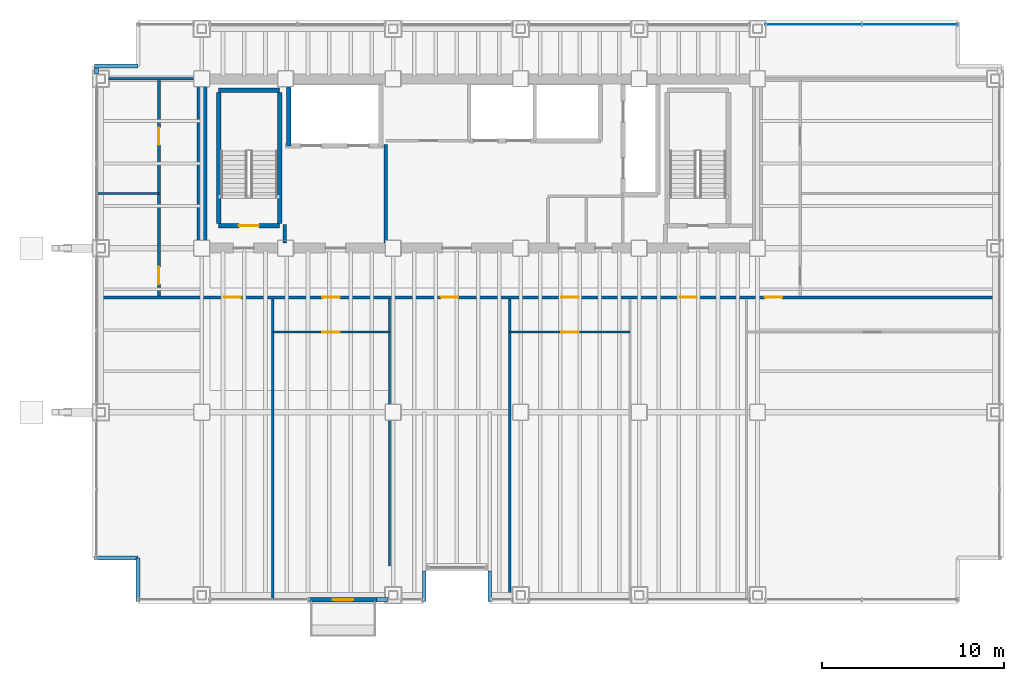
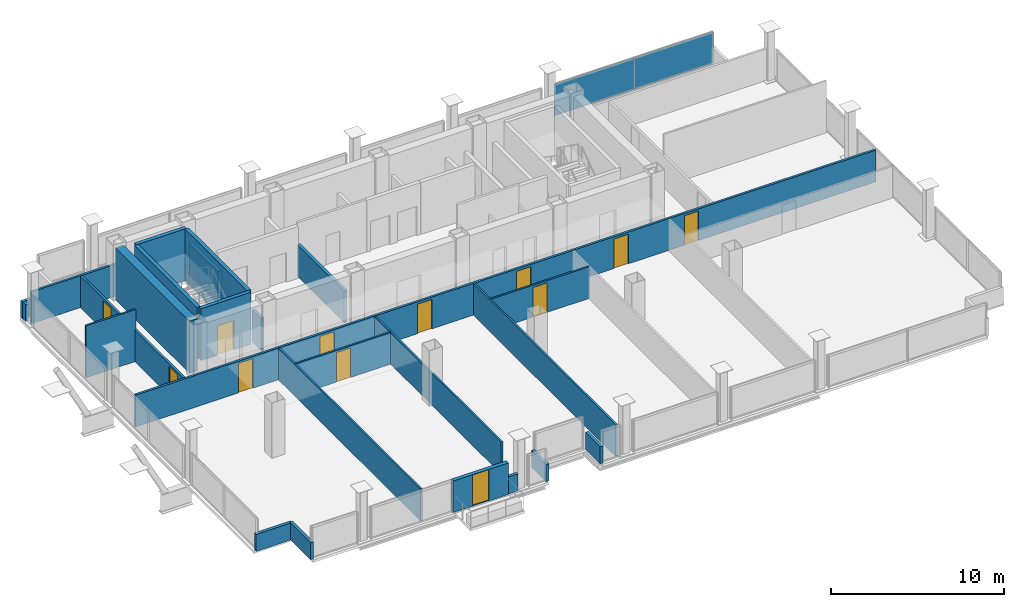
# One storey, part 18 of 21: 25 walls, 12 doors, 2 plates, 12 openings, 1 element without a shape of its own.
"""IFC4 building model written with IfcOpenShell, lengths in metres."""

from ifc_helpers import new_model, si_unit, direction, frame, frame_2d, origin, origin_2d, place, context, subcontext, project, spatial, rectangle, extrude, material, layer, layer_set, type_object, element, fill, aggregate, save


model = new_model("IFC4")

# Units and contexts
model_context = context("Model", 3, precision=1e-05, world=origin(), true_north=direction((0.0, 1.0)))
body_context = subcontext(model_context, "Body", "Model", "MODEL_VIEW")
ifc_project = project(units=[si_unit("LENGTHUNIT", "METRE"), si_unit("AREAUNIT", "SQUARE_METRE"), si_unit("VOLUMEUNIT", "CUBIC_METRE"), si_unit("PLANEANGLEUNIT", "RADIAN"), si_unit("MASSUNIT", "GRAM", prefix="KILO")], contexts=[model_context])

# Site, building, storey
site_placement = place(None, origin())
site = spatial("IfcSite", under=ifc_project, at=site_placement, CompositionType="ELEMENT")
building_placement = place(site_placement, origin())
building = spatial("IfcBuilding", under=site, at=building_placement, Name="Noeulbin Bourse Tower", CompositionType="ELEMENT")
storey_placement = place(building_placement, frame((0.0, 0.0, 111.0)))
storey = spatial("IfcBuildingStorey", under=building, at=storey_placement, Name="L27", CompositionType="ELEMENT", Elevation=111.0)

# Curtain wall, plates
ifc_material_1 = material(Name="Dark Tinted Triple Glazing", Category="glass")
curtain_wall_type = type_object("IfcCurtainWallType", Name="CW-SYS-3", PredefinedType="NOTDEFINED", material=ifc_material_1)
curtain_wall_placement = place(storey_placement, origin())
curtain_wall = element("IfcCurtainWall", 1, at=curtain_wall_placement, inside=storey, type_object=curtain_wall_type, Name="Unitised Curtain Wall CW-L27-N-S6", PredefinedType="NOTDEFINED")
ifc_layer_1 = layer(ifc_material_1, 0.035888671875)
ifc_layer_set_1 = layer_set([ifc_layer_1], Name="Dark Tinted Triple Glazing")
plate_type = type_object("IfcPlateType", Name="CW-SYS-3-PNL", PredefinedType="CURTAIN_PANEL", material=ifc_layer_set_1)
plate_1_placement = place(storey_placement, frame((47.0625, 41.280029296875, 0.0), z_axis=(0.0, 0.0, 1.0), x_axis=(1.0, 0.0, 0.0)))
plate_1 = element("IfcPlate", 2, at=plate_1_placement, type_object=plate_type, Name="Glazed Curtain Panel CW-L27-N-S6-P00", PredefinedType="CURTAIN_PANEL", context=body_context, shape_type="SweptSolid", body=[
    extrude(rectangle(XDim=5.304931640625, YDim=0.035888671875, at=origin_2d()), origin(), (0.0, 0.0, 1.0), 2.219970703125),
])
plate_2_placement = place(storey_placement, frame((52.367431640625, 41.280029296875, 0.0), z_axis=(0.0, 0.0, 1.0), x_axis=(1.0, 0.0, 0.0)))
plate_2 = element("IfcPlate", 3, at=plate_2_placement, type_object=plate_type, Name="Glazed Curtain Panel CW-L27-N-S6-P01", PredefinedType="CURTAIN_PANEL", context=body_context, shape_type="SweptSolid", body=[
    extrude(rectangle(XDim=5.304931640625, YDim=0.035888671875, at=origin_2d()), origin(), (0.0, 0.0, 1.0), 2.219970703125),
])
aggregate(curtain_wall, [plate_1, plate_2])

# Wall
ifc_material_2 = material(Name="Concrete C60/75", Category="concrete")
ifc_layer_2 = layer(ifc_material_2, 0.550048828125)
ifc_layer_set_2 = layer_set([ifc_layer_2], Name="Concrete C60/75")
wall_type_1 = type_object("IfcWallType", Name="WAL-CORE-550", PredefinedType="SHEAR", material=ifc_layer_set_2)
wall_1_placement = place(storey_placement, frame((13.5, 29.35009765625, 0.0), z_axis=(0.0, 0.0, 1.0), x_axis=(0.0, 1.0, 0.0)))
element("IfcWall", 4, at=wall_1_placement, inside=storey, type_object=wall_type_1, Name="Rear Core West Shear Wall L27", PredefinedType="SHEAR", context=body_context, shape_type="SweptSolid", body=[
    extrude(rectangle(XDim=8.599853515625, YDim=0.550048828125, at=frame_2d((4.2998046875, 0.0))), origin(), (0.0, 0.0, 1.0), 3.659912109375),
])

# Wall, opening, door
ifc_material_3 = material(Name="Precast Concrete C40/50", Category="concrete")
ifc_layer_3 = layer(ifc_material_3, 0.25)
ifc_layer_set_3 = layer_set([ifc_layer_3], Name="Precast Concrete C40/50")
wall_type_2 = type_object("IfcWallType", Name="WAL-EXT-250", PredefinedType="STANDARD", material=ifc_layer_set_3)
wall_2_placement = place(storey_placement, frame((19.39990234375, 9.719970703125, 0.0), z_axis=(0.0, 0.0, 1.0), x_axis=(1.0, 0.0, 0.0)))
wall_2 = element("IfcWall", 5, at=wall_2_placement, inside=storey, type_object=wall_type_2, Name="Balcony Threshold Wall L27", PredefinedType="STANDARD", context=body_context, shape_type="SweptSolid", body=[
    extrude(rectangle(XDim=3.7001953125, YDim=0.25, at=frame_2d((1.85009765625, 0.0))), origin(), (0.0, 0.0, 1.0), 2.219970703125),
])
opening_1_placement = place(wall_2_placement, frame((1.300048828125, 0.0, 0.0)))
opening_1 = element("IfcOpeningElement", 6, at=opening_1_placement, cuts=wall_2, Name="Opening BD-11", PredefinedType="OPENING", context=body_context, shape_type="SweptSolid", body=[
    extrude(rectangle(XDim=1.10009765625, YDim=2.199951171875, at=frame_2d((0.550048828125, 1.10009765625))), frame((0.0, 0.135009765625, 0.0), z_axis=(0.0, -1.0, 0.0), x_axis=(1.0, 0.0, 0.0)), (0.0, 0.0, 1.0), 0.27001953125),
])
ifc_material_4 = material(Name="Thermally Broken Aluminium Framed Glass", Category="aluminium")
door_type_1 = type_object("IfcDoorType", Name="DR-BAL-1100", OperationType="SINGLE_SWING_LEFT", PredefinedType="DOOR", material=ifc_material_4)
door_1_placement = place(opening_1_placement, origin())
door_1 = element("IfcDoor", 7, at=door_1_placement, inside=storey, type_object=door_type_1, Name="Tree-Balcony Access Door BD-L27", OperationType="SINGLE_SWING_LEFT", OverallHeight=2.199951171875, OverallWidth=1.10009765625, PredefinedType="DOOR", context=body_context, shape_type="SweptSolid", body=[
    extrude(rectangle(XDim=1.10009765625, YDim=2.199951171875, at=frame_2d((0.550048828125, 1.10009765625))), frame((0.0, 0.02490234375, 0.0), z_axis=(0.0, -1.0, 0.0), x_axis=(1.0, 0.0, 0.0)), (0.0, 0.0, 1.0), 0.050048828125),
])
fill(opening_1, door_1)

# Walls
ifc_material_5 = material(Name="Concrete C40/50", Category="concrete")
ifc_layer_4 = layer(ifc_material_5, 0.199951171875)
ifc_layer_set_4 = layer_set([ifc_layer_4], Name="Concrete C40/50")
wall_type_3 = type_object("IfcWallType", Name="WAL-FIRE-200", PredefinedType="STANDARD", material=ifc_layer_set_4)
wall_3_placement = place(storey_placement, frame((18.050048828125, 29.284912109375, 0.0), z_axis=(0.0, 0.0, 1.0), x_axis=(0.0, 1.0, 0.0)))
element("IfcWall", 8, at=wall_3_placement, inside=storey, type_object=wall_type_3, Name="Interior Partition Wall L27-12", PredefinedType="STANDARD", context=body_context, shape_type="SweptSolid", body=[
    extrude(rectangle(XDim=1.01513671875, YDim=0.199951171875, at=frame_2d((0.507568359375, 0.0))), origin(), (0.0, 0.0, 1.0), 2.239990234375),
])
wall_4_placement = place(storey_placement, frame((23.60009765625, 29.284912109375, 0.0), z_axis=(0.0, 0.0, 1.0), x_axis=(0.0, 1.0, 0.0)))
element("IfcWall", 9, at=wall_4_placement, inside=storey, type_object=wall_type_3, Name="Interior Partition Wall L27-14", PredefinedType="STANDARD", context=body_context, shape_type="SweptSolid", body=[
    extrude(rectangle(XDim=5.4150390625, YDim=0.199951171875, at=frame_2d((2.70751953125, 0.0))), origin(), (0.0, 0.0, 1.0), 2.239990234375),
])
ifc_layer_5 = layer(ifc_material_5, 0.199951171875)
ifc_layer_set_5 = layer_set([ifc_layer_5], Name="Concrete C40/50")
wall_type_4 = type_object("IfcWallType", Name="WAL-PAR-200", PredefinedType="PARAPET", material=ifc_layer_set_5)
wall_5_placement = place(storey_placement, frame((7.719970703125, 38.570068359375, 0.0), z_axis=(0.0, 0.0, 1.0), x_axis=(0.0, 1.0, 0.0)))
element("IfcWall", 10, at=wall_5_placement, inside=storey, type_object=wall_type_4, Name="Perimeter Pier Spandrel Parapet L27-W1", PredefinedType="PARAPET", context=body_context, shape_type="SweptSolid", body=[
    extrude(rectangle(XDim=0.329833984375, YDim=0.199951171875, at=frame_2d((0.1650390625, 0.0))), origin(), (0.0, 0.0, 1.0), 1.199951171875),
])
wall_6_placement = place(storey_placement, frame((23.10009765625, 9.719970703125, 0.0), z_axis=(0.0, 0.0, 1.0), x_axis=(1.0, 0.0, 0.0)))
element("IfcWall", 11, at=wall_6_placement, inside=storey, type_object=wall_type_4, Name="Perimeter Pier Spandrel Parapet L27-S3", PredefinedType="PARAPET", context=body_context, shape_type="SweptSolid", body=[
    extrude(rectangle(XDim=0.6298828125, YDim=0.199951171875, at=frame_2d((0.31494140625, 0.0))), origin(), (0.0, 0.0, 1.0), 1.199951171875),
])
for number, where, z_axis, x_axis, name in (
    (12, (7.60009765625, 12.0, 0.0), (0.0, 0.0, 1.0), (1.0, 0.0, 0.0), "Corner Notch Parapet L27-SW1"),
    (13, (10.0, 12.0, 0.0), (0.0, 0.0, 1.0), (0.0, -1.0, 0.0), "Corner Notch Parapet L27-SW2"),
    (14, (7.60009765625, 39.0, 0.0), (0.0, 0.0, 1.0), (1.0, 0.0, 0.0), "Corner Notch Parapet L27-NW1"),
):
    element("IfcWall", number, at=place(storey_placement, frame(where, z_axis=z_axis, x_axis=x_axis)), inside=storey, type_object=wall_type_4, Name=name, PredefinedType="PARAPET", context=body_context, shape_type="SweptSolid", body=[
        extrude(rectangle(XDim=2.39990234375, YDim=0.199951171875, at=frame_2d((1.199951171875, 0.0))), origin(), (0.0, 0.0, 1.0), 1.199951171875),
    ])
for number, where, z_axis, x_axis, name in (
    (15, (25.699951171875, 9.60009765625, 0.0), (0.0, 0.0, 1.0), (0.0, 1.0, 0.0), "Sky-Garden Recess Parapet L27-W"),
    (16, (29.300048828125, 11.300048828125, 0.0), (0.0, 0.0, 1.0), (0.0, -1.0, 0.0), "Sky-Garden Recess Parapet L27-E"),
):
    element("IfcWall", number, at=place(storey_placement, frame(where, z_axis=z_axis, x_axis=x_axis)), inside=storey, type_object=wall_type_4, Name=name, PredefinedType="PARAPET", context=body_context, shape_type="SweptSolid", body=[
        extrude(rectangle(XDim=1.699951171875, YDim=0.199951171875, at=frame_2d((0.85009765625, 0.0))), origin(), (0.0, 0.0, 1.0), 1.199951171875),
    ])

# Wall, opening, door
ifc_material_6 = material(Name="Steel Stud Gypsum Partition", Category="steel")
ifc_layer_6 = layer(ifc_material_6, 0.1201171875)
ifc_layer_set_6 = layer_set([ifc_layer_6], Name="Steel Stud Gypsum Partition")
wall_type_5 = type_object("IfcWallType", Name="WAL-PRT-120", PredefinedType="PARTITIONING", material=ifc_layer_set_6)
wall_7_placement = place(storey_placement, frame((17.39990234375, 24.39990234375, 0.0), z_axis=(0.0, 0.0, 1.0), x_axis=(1.0, 0.0, 0.0)))
wall_7 = element("IfcWall", 17, at=wall_7_placement, inside=storey, type_object=wall_type_5, Name="Interior Partition Wall L27-07", PredefinedType="PARTITIONING", context=body_context, shape_type="SweptSolid", body=[
    extrude(rectangle(XDim=6.400146484375, YDim=0.1201171875, at=frame_2d((3.2001953125, 0.0))), origin(), (0.0, 0.0, 1.0), 2.239990234375),
])
opening_2_placement = place(wall_7_placement, frame((2.72509765625, 0.0, 0.0)))
opening_2 = element("IfcOpeningElement", 18, at=opening_2_placement, cuts=wall_7, Name="Opening ID-09", PredefinedType="OPENING", context=body_context, shape_type="SweptSolid", body=[
    extrude(rectangle(XDim=0.949951171875, YDim=2.080078125, at=frame_2d((0.47509765625, 1.0400390625))), frame((0.0, 0.070068359375, 0.0), z_axis=(0.0, -1.0, 0.0), x_axis=(1.0, 0.0, 0.0)), (0.0, 0.0, 1.0), 0.14013671875),
])
ifc_material_7 = material(Name="Acoustic Solid-Core Timber", Category="wood")
door_type_2 = type_object("IfcDoorType", Name="DR-SINGLE-950", OperationType="SINGLE_SWING_LEFT", PredefinedType="DOOR", material=ifc_material_7)
door_2_placement = place(opening_2_placement, origin())
door_2 = element("IfcDoor", 19, at=door_2_placement, inside=storey, type_object=door_type_2, Name="Interior Door L27-09", OperationType="SINGLE_SWING_LEFT", OverallHeight=2.080078125, OverallWidth=0.949951171875, PredefinedType="DOOR", context=body_context, shape_type="SweptSolid", body=[
    extrude(rectangle(XDim=0.949951171875, YDim=2.080078125, at=frame_2d((0.47509765625, 1.0400390625))), frame((0.0, 0.02490234375, 0.0), z_axis=(0.0, -1.0, 0.0), x_axis=(1.0, 0.0, 0.0)), (0.0, 0.0, 1.0), 0.050048828125),
])
fill(opening_2, door_2)

wall_8_placement = place(storey_placement, frame((30.39990234375, 24.39990234375, 0.0), z_axis=(0.0, 0.0, 1.0), x_axis=(1.0, 0.0, 0.0)))
wall_8 = element("IfcWall", 20, at=wall_8_placement, inside=storey, type_object=wall_type_5, Name="Interior Partition Wall L27-08", PredefinedType="PARTITIONING", context=body_context, shape_type="SweptSolid", body=[
    extrude(rectangle(XDim=6.60009765625, YDim=0.1201171875, at=frame_2d((3.300048828125, 0.0))), origin(), (0.0, 0.0, 1.0), 2.239990234375),
])
opening_3_placement = place(wall_8_placement, frame((2.824951171875, 0.0, 0.0)))
opening_3 = element("IfcOpeningElement", 21, at=opening_3_placement, cuts=wall_8, Name="Opening ID-09", PredefinedType="OPENING", context=body_context, shape_type="SweptSolid", body=[
    extrude(rectangle(XDim=0.949951171875, YDim=2.080078125, at=frame_2d((0.47509765625, 1.0400390625))), frame((0.0, 0.070068359375, 0.0), z_axis=(0.0, -1.0, 0.0), x_axis=(1.0, 0.0, 0.0)), (0.0, 0.0, 1.0), 0.14013671875),
])
door_3_placement = place(opening_3_placement, origin())
door_3 = element("IfcDoor", 22, at=door_3_placement, inside=storey, type_object=door_type_2, Name="Interior Door L27-12", OperationType="SINGLE_SWING_RIGHT", OverallHeight=2.080078125, OverallWidth=0.949951171875, PredefinedType="DOOR", context=body_context, shape_type="SweptSolid", body=[
    extrude(rectangle(XDim=0.949951171875, YDim=2.080078125, at=frame_2d((0.47509765625, 1.0400390625))), frame((0.0, 0.02490234375, 0.0), z_axis=(0.0, -1.0, 0.0), x_axis=(1.0, 0.0, 0.0)), (0.0, 0.0, 1.0), 0.050048828125),
])
fill(opening_3, door_3)

# Walls
wall_9_placement = place(storey_placement, frame((7.81005859375, 32.0, 0.0), z_axis=(0.0, 0.0, 1.0), x_axis=(1.0, 0.0, 0.0)))
element("IfcWall", 23, at=wall_9_placement, inside=storey, type_object=wall_type_5, Name="Interior Partition Wall L27-10", PredefinedType="PARTITIONING", context=body_context, shape_type="SweptSolid", body=[
    extrude(rectangle(XDim=3.33984375, YDim=0.1201171875, at=frame_2d((1.669921875, 0.0))), origin(), (0.0, 0.0, 1.0), 3.659912109375),
])
wall_10_placement = place(storey_placement, frame((17.39990234375, 9.81005859375, 0.0), z_axis=(0.0, 0.0, 1.0), x_axis=(0.0, 1.0, 0.0)))
element("IfcWall", 24, at=wall_10_placement, inside=storey, type_object=wall_type_5, Name="Interior Partition Wall L27-20", PredefinedType="PARTITIONING", context=body_context, shape_type="SweptSolid", body=[
    extrude(rectangle(XDim=16.405029296875, YDim=0.1201171875, at=frame_2d((8.20263671875, 0.0))), origin(), (0.0, 0.0, 1.0), 2.239990234375),
])
wall_11_placement = place(storey_placement, frame((23.800048828125, 11.570068359375, 0.0), z_axis=(0.0, 0.0, 1.0), x_axis=(0.0, 1.0, 0.0)))
element("IfcWall", 25, at=wall_11_placement, inside=storey, type_object=wall_type_5, Name="Interior Partition Wall L27-21", PredefinedType="PARTITIONING", context=body_context, shape_type="SweptSolid", body=[
    extrude(rectangle(XDim=14.64501953125, YDim=0.1201171875, at=frame_2d((7.322509765625, 0.0))), origin(), (0.0, 0.0, 1.0), 2.239990234375),
])
wall_12_placement = place(storey_placement, frame((30.39990234375, 9.81005859375, 0.0), z_axis=(0.0, 0.0, 1.0), x_axis=(0.0, 1.0, 0.0)))
element("IfcWall", 26, at=wall_12_placement, inside=storey, type_object=wall_type_5, Name="Interior Partition Wall L27-22", PredefinedType="PARTITIONING", context=body_context, shape_type="SweptSolid", body=[
    extrude(rectangle(XDim=16.405029296875, YDim=0.1201171875, at=frame_2d((8.20263671875, 0.0))), origin(), (0.0, 0.0, 1.0), 2.239990234375),
])

# Wall, openings, doors
ifc_material_8 = material(Name="Steel Stud Acoustic Gypsum Board", Category="steel")
ifc_layer_7 = layer(ifc_material_8, 0.14990234375)
ifc_layer_set_7 = layer_set([ifc_layer_7], Name="Steel Stud Acoustic Gypsum Board")
wall_type_6 = type_object("IfcWallType", Name="WAL-PRT-150", PredefinedType="PARTITIONING", material=ifc_layer_set_7)
wall_13_placement = place(storey_placement, frame((7.81005859375, 26.300048828125, 0.0), z_axis=(0.0, 0.0, 1.0), x_axis=(1.0, 0.0, 0.0)))
wall_13 = element("IfcWall", 27, at=wall_13_placement, inside=storey, type_object=wall_type_6, Name="Interior Partition Wall L27-04", PredefinedType="PARTITIONING", context=body_context, shape_type="SweptSolid", body=[
    extrude(rectangle(XDim=49.3798828125, YDim=0.14990234375, at=frame_2d((24.68994140625, 0.0))), origin(), (0.0, 0.0, 1.0), 2.239990234375),
])
opening_4_placement = place(wall_13_placement, frame((6.889892578125, 0.0, 0.0)))
opening_4 = element("IfcOpeningElement", 28, at=opening_4_placement, cuts=wall_13, Name="Opening ID-09", PredefinedType="OPENING", context=body_context, shape_type="SweptSolid", body=[
    extrude(rectangle(XDim=0.949951171875, YDim=2.080078125, at=frame_2d((0.47509765625, 1.0400390625))), frame((0.0, 0.0849609375, 0.0), z_axis=(0.0, -1.0, 0.0), x_axis=(1.0, 0.0, 0.0)), (0.0, 0.0, 1.0), 0.169921875),
])
opening_5_placement = place(wall_13_placement, frame((12.31494140625, 0.0, 0.0)))
opening_5 = element("IfcOpeningElement", 29, at=opening_5_placement, cuts=wall_13, Name="Opening ID-09", PredefinedType="OPENING", context=body_context, shape_type="SweptSolid", body=[
    extrude(rectangle(XDim=0.949951171875, YDim=2.080078125, at=frame_2d((0.47509765625, 1.0400390625))), frame((0.0, 0.0849609375, 0.0), z_axis=(0.0, -1.0, 0.0), x_axis=(1.0, 0.0, 0.0)), (0.0, 0.0, 1.0), 0.169921875),
])
opening_6_placement = place(wall_13_placement, frame((18.81494140625, 0.0, 0.0)))
opening_6 = element("IfcOpeningElement", 30, at=opening_6_placement, cuts=wall_13, Name="Opening ID-09", PredefinedType="OPENING", context=body_context, shape_type="SweptSolid", body=[
    extrude(rectangle(XDim=0.949951171875, YDim=2.080078125, at=frame_2d((0.47509765625, 1.0400390625))), frame((0.0, 0.0849609375, 0.0), z_axis=(0.0, -1.0, 0.0), x_axis=(1.0, 0.0, 0.0)), (0.0, 0.0, 1.0), 0.169921875),
])
opening_7_placement = place(wall_13_placement, frame((25.4150390625, 0.0, 0.0)))
opening_7 = element("IfcOpeningElement", 31, at=opening_7_placement, cuts=wall_13, Name="Opening ID-09", PredefinedType="OPENING", context=body_context, shape_type="SweptSolid", body=[
    extrude(rectangle(XDim=0.949951171875, YDim=2.080078125, at=frame_2d((0.47509765625, 1.0400390625))), frame((0.0, 0.0849609375, 0.0), z_axis=(0.0, -1.0, 0.0), x_axis=(1.0, 0.0, 0.0)), (0.0, 0.0, 1.0), 0.169921875),
])
opening_8_placement = place(wall_13_placement, frame((31.9150390625, 0.0, 0.0)))
opening_8 = element("IfcOpeningElement", 32, at=opening_8_placement, cuts=wall_13, Name="Opening ID-09", PredefinedType="OPENING", context=body_context, shape_type="SweptSolid", body=[
    extrude(rectangle(XDim=0.949951171875, YDim=2.080078125, at=frame_2d((0.47509765625, 1.0400390625))), frame((0.0, 0.0849609375, 0.0), z_axis=(0.0, -1.0, 0.0), x_axis=(1.0, 0.0, 0.0)), (0.0, 0.0, 1.0), 0.169921875),
])
opening_9_placement = place(wall_13_placement, frame((36.590087890625, 0.0, 0.0)))
opening_9 = element("IfcOpeningElement", 33, at=opening_9_placement, cuts=wall_13, Name="Opening ID-09", PredefinedType="OPENING", context=body_context, shape_type="SweptSolid", body=[
    extrude(rectangle(XDim=0.949951171875, YDim=2.080078125, at=frame_2d((0.47509765625, 1.0400390625))), frame((0.0, 0.0849609375, 0.0), z_axis=(0.0, -1.0, 0.0), x_axis=(1.0, 0.0, 0.0)), (0.0, 0.0, 1.0), 0.169921875),
])
door_4_placement = place(opening_4_placement, origin())
door_4 = element("IfcDoor", 34, at=door_4_placement, inside=storey, type_object=door_type_2, Name="Interior Door L27-08", OperationType="SINGLE_SWING_RIGHT", OverallHeight=2.080078125, OverallWidth=0.949951171875, PredefinedType="DOOR", context=body_context, shape_type="SweptSolid", body=[
    extrude(rectangle(XDim=0.949951171875, YDim=2.080078125, at=frame_2d((0.47509765625, 1.0400390625))), frame((0.0, 0.02490234375, 0.0), z_axis=(0.0, -1.0, 0.0), x_axis=(1.0, 0.0, 0.0)), (0.0, 0.0, 1.0), 0.050048828125),
])
fill(opening_4, door_4)
door_5_placement = place(opening_5_placement, origin())
door_5 = element("IfcDoor", 35, at=door_5_placement, inside=storey, type_object=door_type_2, Name="Interior Door L27-10", OperationType="SINGLE_SWING_RIGHT", OverallHeight=2.080078125, OverallWidth=0.949951171875, PredefinedType="DOOR", context=body_context, shape_type="SweptSolid", body=[
    extrude(rectangle(XDim=0.949951171875, YDim=2.080078125, at=frame_2d((0.47509765625, 1.0400390625))), frame((0.0, 0.02490234375, 0.0), z_axis=(0.0, -1.0, 0.0), x_axis=(1.0, 0.0, 0.0)), (0.0, 0.0, 1.0), 0.050048828125),
])
fill(opening_5, door_5)
door_6_placement = place(opening_6_placement, origin())
door_6 = element("IfcDoor", 36, at=door_6_placement, inside=storey, type_object=door_type_2, Name="Interior Door L27-11", OperationType="SINGLE_SWING_LEFT", OverallHeight=2.080078125, OverallWidth=0.949951171875, PredefinedType="DOOR", context=body_context, shape_type="SweptSolid", body=[
    extrude(rectangle(XDim=0.949951171875, YDim=2.080078125, at=frame_2d((0.47509765625, 1.0400390625))), frame((0.0, 0.02490234375, 0.0), z_axis=(0.0, -1.0, 0.0), x_axis=(1.0, 0.0, 0.0)), (0.0, 0.0, 1.0), 0.050048828125),
])
fill(opening_6, door_6)
door_7_placement = place(opening_7_placement, origin())
door_7 = element("IfcDoor", 37, at=door_7_placement, inside=storey, type_object=door_type_2, Name="Interior Door L27-13", OperationType="SINGLE_SWING_LEFT", OverallHeight=2.080078125, OverallWidth=0.949951171875, PredefinedType="DOOR", context=body_context, shape_type="SweptSolid", body=[
    extrude(rectangle(XDim=0.949951171875, YDim=2.080078125, at=frame_2d((0.47509765625, 1.0400390625))), frame((0.0, 0.02490234375, 0.0), z_axis=(0.0, -1.0, 0.0), x_axis=(1.0, 0.0, 0.0)), (0.0, 0.0, 1.0), 0.050048828125),
])
fill(opening_7, door_7)
door_8_placement = place(opening_8_placement, origin())
door_8 = element("IfcDoor", 38, at=door_8_placement, inside=storey, type_object=door_type_2, Name="Interior Door L27-14", OperationType="SINGLE_SWING_RIGHT", OverallHeight=2.080078125, OverallWidth=0.949951171875, PredefinedType="DOOR", context=body_context, shape_type="SweptSolid", body=[
    extrude(rectangle(XDim=0.949951171875, YDim=2.080078125, at=frame_2d((0.47509765625, 1.0400390625))), frame((0.0, 0.02490234375, 0.0), z_axis=(0.0, -1.0, 0.0), x_axis=(1.0, 0.0, 0.0)), (0.0, 0.0, 1.0), 0.050048828125),
])
fill(opening_8, door_8)
door_9_placement = place(opening_9_placement, origin())
door_9 = element("IfcDoor", 39, at=door_9_placement, inside=storey, type_object=door_type_2, Name="Interior Door L27-16", OperationType="SINGLE_SWING_RIGHT", OverallHeight=2.080078125, OverallWidth=0.949951171875, PredefinedType="DOOR", context=body_context, shape_type="SweptSolid", body=[
    extrude(rectangle(XDim=0.949951171875, YDim=2.080078125, at=frame_2d((0.47509765625, 1.0400390625))), frame((0.0, 0.02490234375, 0.0), z_axis=(0.0, -1.0, 0.0), x_axis=(1.0, 0.0, 0.0)), (0.0, 0.0, 1.0), 0.050048828125),
])
fill(opening_9, door_9)

# Wall
wall_14_placement = place(storey_placement, frame((7.81005859375, 38.300048828125, 0.0), z_axis=(0.0, 0.0, 1.0), x_axis=(1.0, 0.0, 0.0)))
element("IfcWall", 40, at=wall_14_placement, inside=storey, type_object=wall_type_6, Name="Interior Partition Wall L27-05", PredefinedType="PARTITIONING", context=body_context, shape_type="SweptSolid", body=[
    extrude(rectangle(XDim=5.68994140625, YDim=0.14990234375, at=frame_2d((2.844970703125, 0.0))), origin(), (0.0, 0.0, 1.0), 2.239990234375),
])

# Wall, openings, doors
wall_15_placement = place(storey_placement, frame((11.14990234375, 26.385009765625, 0.0), z_axis=(0.0, 0.0, 1.0), x_axis=(0.0, 1.0, 0.0)))
wall_15 = element("IfcWall", 41, at=wall_15_placement, inside=storey, type_object=wall_type_6, Name="Interior Partition Wall L27-18", PredefinedType="PARTITIONING", context=body_context, shape_type="SweptSolid", body=[
    extrude(rectangle(XDim=11.830078125, YDim=0.14990234375, at=frame_2d((5.9150390625, 0.0))), origin(), (0.0, 0.0, 1.0), 2.239990234375),
])
opening_10_placement = place(wall_15_placement, frame((0.639892578125, 0.0, 0.0)))
opening_10 = element("IfcOpeningElement", 42, at=opening_10_placement, cuts=wall_15, Name="Opening ID-09", PredefinedType="OPENING", context=body_context, shape_type="SweptSolid", body=[
    extrude(rectangle(XDim=0.949951171875, YDim=2.080078125, at=frame_2d((0.47509765625, 1.0400390625))), frame((0.0, 0.0849609375, 0.0), z_axis=(0.0, -1.0, 0.0), x_axis=(1.0, 0.0, 0.0)), (0.0, 0.0, 1.0), 0.169921875),
])
opening_11_placement = place(wall_15_placement, frame((8.2900390625, 0.0, 0.0)))
opening_11 = element("IfcOpeningElement", 43, at=opening_11_placement, cuts=wall_15, Name="Opening ID-09", PredefinedType="OPENING", context=body_context, shape_type="SweptSolid", body=[
    extrude(rectangle(XDim=0.949951171875, YDim=2.080078125, at=frame_2d((0.47509765625, 1.0400390625))), frame((0.0, 0.0849609375, 0.0), z_axis=(0.0, -1.0, 0.0), x_axis=(1.0, 0.0, 0.0)), (0.0, 0.0, 1.0), 0.169921875),
])
door_10_placement = place(opening_10_placement, origin())
door_10 = element("IfcDoor", 44, at=door_10_placement, inside=storey, type_object=door_type_2, Name="Interior Door L27-17", OperationType="SINGLE_SWING_LEFT", OverallHeight=2.080078125, OverallWidth=0.949951171875, PredefinedType="DOOR", context=body_context, shape_type="SweptSolid", body=[
    extrude(rectangle(XDim=0.949951171875, YDim=2.080078125, at=frame_2d((0.47509765625, 1.0400390625))), frame((0.0, 0.02490234375, 0.0), z_axis=(0.0, -1.0, 0.0), x_axis=(1.0, 0.0, 0.0)), (0.0, 0.0, 1.0), 0.050048828125),
])
fill(opening_10, door_10)
door_11_placement = place(opening_11_placement, origin())
door_11 = element("IfcDoor", 45, at=door_11_placement, inside=storey, type_object=door_type_2, Name="Interior Door L27-18", OperationType="SINGLE_SWING_RIGHT", OverallHeight=2.080078125, OverallWidth=0.949951171875, PredefinedType="DOOR", context=body_context, shape_type="SweptSolid", body=[
    extrude(rectangle(XDim=0.949951171875, YDim=2.080078125, at=frame_2d((0.47509765625, 1.0400390625))), frame((0.0, 0.02490234375, 0.0), z_axis=(0.0, -1.0, 0.0), x_axis=(1.0, 0.0, 0.0)), (0.0, 0.0, 1.0), 0.050048828125),
])
fill(opening_11, door_11)

# Wall, opening, door
ifc_layer_8 = layer(ifc_material_5, 0.25)
ifc_layer_set_8 = layer_set([ifc_layer_8], Name="Concrete C40/50")
wall_type_7 = type_object("IfcWallType", Name="WAL-SHFT-250", PredefinedType="STANDARD", material=ifc_layer_set_8)
wall_16_placement = place(storey_placement, frame((14.429931640625, 30.235107421875, 0.0), z_axis=(0.0, 0.0, 1.0), x_axis=(1.0, 0.0, 0.0)))
wall_16 = element("IfcWall", 46, at=wall_16_placement, inside=storey, type_object=wall_type_7, Name="Stair ST-1 South Shaft Wall L27", PredefinedType="STANDARD", context=body_context, shape_type="SweptSolid", body=[
    extrude(rectangle(XDim=3.340087890625, YDim=0.25, at=frame_2d((1.669921875, 0.0))), origin(), (0.0, 0.0, 1.0), 3.659912109375),
])
opening_12_placement = place(wall_16_placement, frame((1.10009765625, 0.0, 0.0)))
opening_12 = element("IfcOpeningElement", 47, at=opening_12_placement, cuts=wall_16, Name="Opening FD-11", PredefinedType="OPENING", context=body_context, shape_type="SweptSolid", body=[
    extrude(rectangle(XDim=1.10009765625, YDim=2.080078125, at=frame_2d((0.550048828125, 1.0400390625))), frame((0.0, 0.135009765625, 0.0), z_axis=(0.0, -1.0, 0.0), x_axis=(1.0, 0.0, 0.0)), (0.0, 0.0, 1.0), 0.27001953125),
])
ifc_material_9 = material(Name="Fire-Rated Insulated Steel", Category="steel")
door_type_3 = type_object("IfcDoorType", Name="DR-FD60-1100", OperationType="SINGLE_SWING_LEFT", PredefinedType="DOOR", material=ifc_material_9)
door_12_placement = place(opening_12_placement, origin())
door_12 = element("IfcDoor", 48, at=door_12_placement, inside=storey, type_object=door_type_3, Name="Protected Stair Entry Door ST1-L27", OperationType="SINGLE_SWING_LEFT", OverallHeight=2.080078125, OverallWidth=1.10009765625, PredefinedType="DOOR", context=body_context, shape_type="SweptSolid", body=[
    extrude(rectangle(XDim=1.10009765625, YDim=2.080078125, at=frame_2d((0.550048828125, 1.0400390625))), frame((0.0, 0.02490234375, 0.0), z_axis=(0.0, -1.0, 0.0), x_axis=(1.0, 0.0, 0.0)), (0.0, 0.0, 1.0), 0.050048828125),
])
fill(opening_12, door_12)

# Walls
wall_17_placement = place(storey_placement, frame((14.429931640625, 37.6689453125, 0.0), z_axis=(0.0, 0.0, 1.0), x_axis=(1.0, 0.0, 0.0)))
element("IfcWall", 49, at=wall_17_placement, inside=storey, type_object=wall_type_7, Name="Stair ST-1 North Shaft Wall L27", PredefinedType="STANDARD", context=body_context, shape_type="SweptSolid", body=[
    extrude(rectangle(XDim=3.340087890625, YDim=0.25, at=frame_2d((1.669921875, 0.0))), origin(), (0.0, 0.0, 1.0), 3.659912109375),
])
for number, where, z_axis, x_axis, name in (
    (50, (14.425048828125, 30.360107421875, 0.0), (0.0, 0.0, 1.0), (0.0, 1.0, 0.0), "Stair ST-1 West Shaft Wall L27"),
    (51, (17.77490234375, 30.360107421875, 0.0), (0.0, 0.0, 1.0), (0.0, 1.0, 0.0), "Stair ST-1 East Shaft Wall L27"),
):
    element("IfcWall", number, at=place(storey_placement, frame(where, z_axis=z_axis, x_axis=x_axis)), inside=storey, type_object=wall_type_7, Name=name, PredefinedType="STANDARD", context=body_context, shape_type="SweptSolid", body=[
        extrude(rectangle(XDim=7.183837890625, YDim=0.25, at=frame_2d((3.591796875, 0.0))), origin(), (0.0, 0.0, 1.0), 3.659912109375),
    ])
wall_18_placement = place(storey_placement, frame((18.280029296875, 34.6201171875, 0.0), z_axis=(0.0, 0.0, 1.0), x_axis=(0.0, 1.0, 0.0)))
element("IfcWall", 52, at=wall_18_placement, inside=storey, type_object=wall_type_7, Name="Firefighting Lift West Shaft Wall L27", PredefinedType="STANDARD", context=body_context, shape_type="SweptSolid", body=[
    extrude(rectangle(XDim=3.329833984375, YDim=0.25, at=frame_2d((1.6650390625, 0.0))), origin(), (0.0, 0.0, 1.0), 2.239990234375),
])

save(model, "model.ifc")
